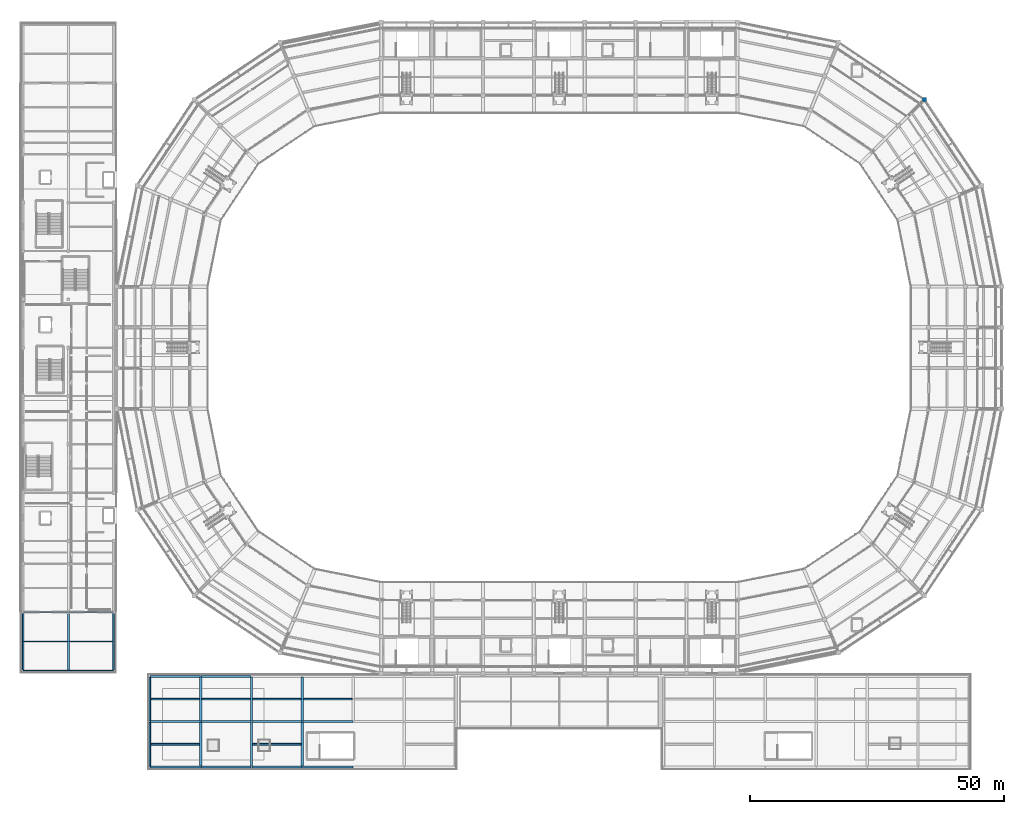
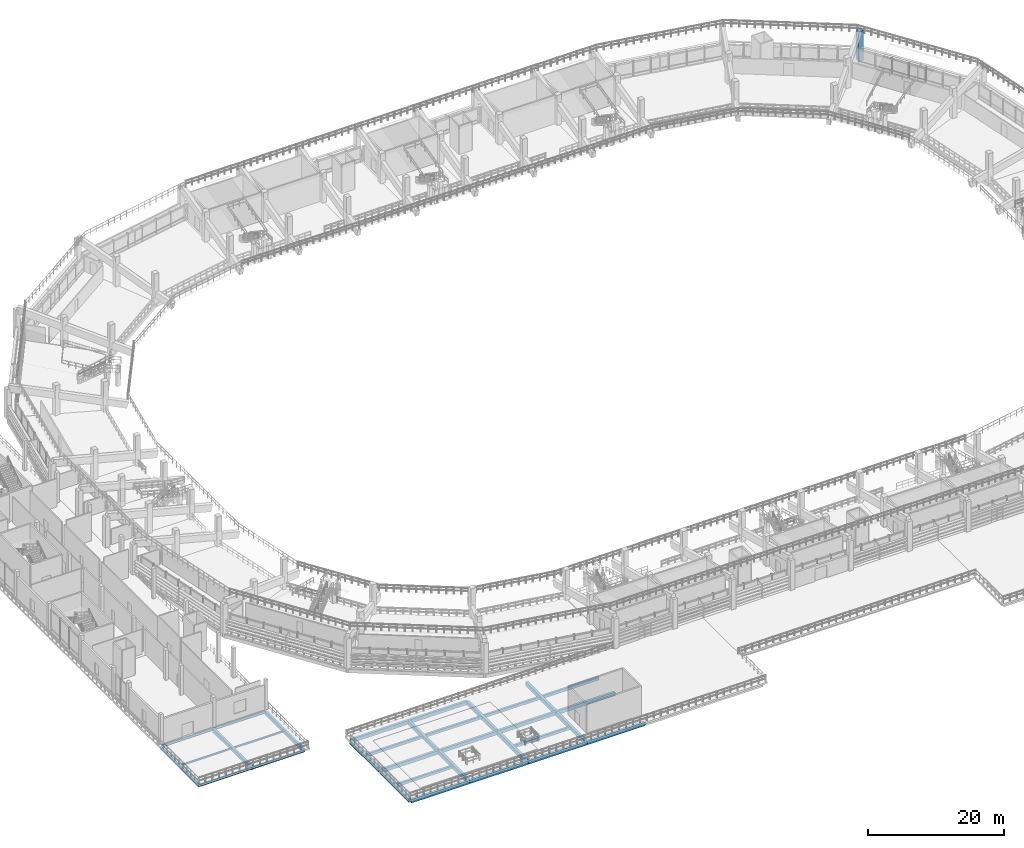
# One storey, part 4 of 96: 33 beams, 1 column.
"""IFC4 building model written with IfcOpenShell, lengths in metres."""

import ifcopenshell
import ifcopenshell.guid

model = None  # the IFC model being written
_history = None  # IfcOwnerHistory: only IFC2X3 demands one
_inside = {}  # id of a spatial element -> (the spatial element, [elements in it])
_under = {}  # id of a project, library or spatial element -> (it, [spatial elements below it])
_declared = {}  # id of a project -> (the project, [libraries it declares])
_typed = {}  # id of a type object -> (the type object, [elements of that type])
_made_of = {}  # id of a material, layer set ... -> (it, [elements and type objects made of it])


def new_model(schema):
    """Start an empty IFC model of exactly this schema.

    Asked for "IFC4X3", IfcOpenShell would pick the latest addendum, in which some entities
    have other attributes; the version numbers below select the first issue.
    IFC2X3 requires an IfcOwnerHistory on every rooted entity: one is made here for all.
    """
    global model, _history
    if schema == "IFC4X3":
        model = ifcopenshell.file(schema_version=(4, 3, 0, 0))
    else:
        model = ifcopenshell.file(schema=schema)
    _inside.clear()
    _under.clear()
    _declared.clear()
    _typed.clear()
    _made_of.clear()
    _history = None
    if model.schema == "IFC2X3":
        org = make("IfcOrganization", Name="unknown")
        user = make(
            "IfcPersonAndOrganization",
            ThePerson=make("IfcPerson", FamilyName="unknown"),
            TheOrganization=org,
        )
        app = make(
            "IfcApplication",
            ApplicationDeveloper=org,
            Version="unknown",
            ApplicationFullName="unknown",
            ApplicationIdentifier="unknown",
        )
        _history = make(
            "IfcOwnerHistory",
            OwningUser=user,
            OwningApplication=app,
            ChangeAction="ADDED",
            CreationDate=0,
        )
    return model


def make(cls, **values):
    """One entity of the class cls with the attributes given. An attribute that is None is left unset."""
    return model.create_entity(
        cls, **{name: value for name, value in values.items() if value is not None}
    )


def rooted(cls, **values):
    """An entity with a GlobalId (a new one), such as an element, a storey or a relation."""
    return make(cls, GlobalId=ifcopenshell.guid.new(), OwnerHistory=_history, **values)


def si_unit(unit_type, name, prefix=None):
    """IfcSIUnit, for example si_unit("LENGTHUNIT", "METRE", prefix="MILLI")."""
    return make("IfcSIUnit", UnitType=unit_type, Prefix=prefix, Name=name)


def assignment(units):
    """IfcUnitAssignment: the units of a project."""
    return None if units is None else make("IfcUnitAssignment", Units=units)


def point(xyz):
    """IfcCartesianPoint."""
    return None if xyz is None else make("IfcCartesianPoint", Coordinates=xyz)


def direction(xyz):
    """IfcDirection."""
    return None if xyz is None else make("IfcDirection", DirectionRatios=xyz)


def frame(location, z_axis=None, x_axis=None):
    """IfcAxis2Placement3D, a coordinate frame: its origin and axes. An axis left out is left unset."""
    return make(
        "IfcAxis2Placement3D",
        Location=point(location),
        Axis=direction(z_axis),
        RefDirection=direction(x_axis),
    )


def frame_2d(location, x_axis=None):
    """IfcAxis2Placement2D, a coordinate frame in the plane: its origin and x axis."""
    return make(
        "IfcAxis2Placement2D", Location=point(location), RefDirection=direction(x_axis)
    )


def origin():
    """The frame at (0, 0, 0) with its axes left unset."""
    return frame((0.0, 0.0, 0.0))


def origin_2d():
    """The frame at (0, 0) in the plane with its x axis left unset."""
    return frame_2d((0.0, 0.0))


def place(relative_to, where):
    """IfcLocalPlacement: puts the frame where relative to a parent placement (None: the world)."""
    return make(
        "IfcLocalPlacement", PlacementRelTo=relative_to, RelativePlacement=where
    )


def context(
    kind, dimensions, precision=None, world=None, true_north=None, identifier=None
):
    """IfcGeometricRepresentationContext, for example the 3D "Model" context."""
    return make(
        "IfcGeometricRepresentationContext",
        ContextIdentifier=identifier,
        ContextType=kind,
        CoordinateSpaceDimension=dimensions,
        Precision=precision,
        WorldCoordinateSystem=world,
        TrueNorth=true_north,
    )


def subcontext(parent, identifier, kind, view, scale=None):
    """IfcGeometricRepresentationSubContext, for example "Body" below "Model"."""
    return make(
        "IfcGeometricRepresentationSubContext",
        ContextIdentifier=identifier,
        ContextType=kind,
        ParentContext=parent,
        TargetScale=scale,
        TargetView=view,
    )


def project(units=None, contexts=None):
    """IfcProject with its units and contexts."""
    return rooted(
        "IfcProject",
        Name="project",
        RepresentationContexts=contexts,
        UnitsInContext=assignment(units),
    )


def spatial(cls, under=None, at=None, **own):
    """A site, building, storey or space (cls), placed at a placement, below another one or the project."""
    s = rooted(cls, ObjectPlacement=at, **own)
    if under is not None:
        _under.setdefault(under.id(), (under, []))[1].append(s)
    return s


def profile(cls, at=None, kind="AREA", **sizes):
    """A parametric profile (cls). Its sizes go by their IFC names, for example OverallWidth=200.0."""
    return make(cls, ProfileType=kind, Position=at, **sizes)


def rectangle(**sizes):
    """IfcRectangleProfileDef."""
    return profile("IfcRectangleProfileDef", **sizes)


def i_section(**sizes):
    """IfcIShapeProfileDef."""
    return profile("IfcIShapeProfileDef", **sizes)


def extrude(swept, where, along, depth):
    """IfcExtrudedAreaSolid: the profile swept, set in the frame where, extruded along a direction by depth."""
    return make(
        "IfcExtrudedAreaSolid",
        SweptArea=swept,
        Position=where,
        ExtrudedDirection=direction(along),
        Depth=depth,
    )


def shape(context_of_items, identifier, shape_type, items):
    """IfcShapeRepresentation: the items that make up one representation, for example the "Body"."""
    return make(
        "IfcShapeRepresentation",
        ContextOfItems=context_of_items,
        RepresentationIdentifier=identifier,
        RepresentationType=shape_type,
        Items=items,
    )


def material(Name=None, Category=None):
    """IfcMaterial."""
    return make("IfcMaterial", Name=Name, Category=Category)


def material_profile(
    of_material, cross_section, Name=None, Category=None, Priority=None
):
    """IfcMaterialProfile: a cross section and its material."""
    return make(
        "IfcMaterialProfile",
        Name=Name,
        Material=of_material,
        Profile=cross_section,
        Priority=Priority,
        Category=Category,
    )


def profile_set(profiles, Name=None, composite=None):
    """IfcMaterialProfileSet."""
    return make(
        "IfcMaterialProfileSet",
        Name=Name,
        MaterialProfiles=profiles,
        CompositeProfile=composite,
    )


def made_of(thing, what):
    """Note that an element or type object is made of a material, layer set ...; save() writes the relation."""
    if what is not None:
        _made_of.setdefault(what.id(), (what, []))[1].append(thing)
    return thing


def type_object(cls, material=None, **own):
    """A type object (cls), such as IfcWallType, which elements share."""
    return made_of(rooted(cls, **own), material)


def element(
    cls,
    number,
    at=None,
    inside=None,
    cuts=None,
    type_object=None,
    material=None,
    context=None,
    identifier="Body",
    shape_type=None,
    held_by="IfcProductDefinitionShape",
    body=None,
    shapes=None,
    **own,
):
    """One element of the class cls, such as IfcWall. Its Tag is "e" and its number.

    at: its placement. inside: the storey or other place that contains it. cuts: it is an
    opening in that element (IfcRelVoidsElement). A single representation is given by context,
    identifier, shape_type and body (its items); several are given by shapes. held_by: the class
    of the entity that holds the representations. save() writes the other relations.
    """
    e = rooted(cls, Tag="e%d" % number, ObjectPlacement=at, **own)
    if body is not None:
        shapes = [shape(context, identifier, shape_type, body)]
    if shapes is not None:
        e.Representation = make(held_by, Representations=shapes)
    if inside is not None:
        _inside.setdefault(inside.id(), (inside, []))[1].append(e)
    if cuts is not None:
        rooted(
            "IfcRelVoidsElement", RelatingBuildingElement=cuts, RelatedOpeningElement=e
        )
    if type_object is not None:
        _typed.setdefault(type_object.id(), (type_object, []))[1].append(e)
    return made_of(e, material)


def aggregate(whole, parts):
    """IfcRelAggregates: a whole, such as a stair, and the parts it consists of."""
    return rooted("IfcRelAggregates", RelatingObject=whole, RelatedObjects=parts)


def save(model, path):
    """Write the relations noted so far, then the file.

    IfcRelAggregates (storeys below a building ...), IfcRelContainedInSpatialStructure (elements
    in a storey), IfcRelDefinesByType, IfcRelAssociatesMaterial and IfcRelDeclares: one each for
    every whole, place, type object, material and project.
    """
    for whole, parts in _under.values():
        aggregate(whole, parts)
    for where, things in _inside.values():
        rooted(
            "IfcRelContainedInSpatialStructure",
            RelatedElements=things,
            RelatingStructure=where,
        )
    for kind, things in _typed.values():
        rooted("IfcRelDefinesByType", RelatedObjects=things, RelatingType=kind)
    for what, things in _made_of.values():
        rooted("IfcRelAssociatesMaterial", RelatedObjects=things, RelatingMaterial=what)
    for by, libraries in _declared.values():
        rooted("IfcRelDeclares", RelatingContext=by, RelatedDefinitions=libraries)
    model.write(path)


model = new_model("IFC4")

# Units and contexts
model_context = context("Model", 3, precision=1e-05, world=origin(), true_north=direction((0.0, 1.0)))
body_context = subcontext(model_context, "Body", "Model", "MODEL_VIEW")
ifc_project = project(units=[si_unit("LENGTHUNIT", "METRE"), si_unit("AREAUNIT", "SQUARE_METRE"), si_unit("VOLUMEUNIT", "CUBIC_METRE"), si_unit("PLANEANGLEUNIT", "RADIAN"), si_unit("MASSUNIT", "GRAM", prefix="KILO")], contexts=[model_context])

# Site, building, storey
site_placement = place(None, origin())
site = spatial("IfcSite", under=ifc_project, at=site_placement, CompositionType="ELEMENT")
building_placement = place(site_placement, origin())
building = spatial("IfcBuilding", under=site, at=building_placement, Name="Candeia Ridge Stadium", CompositionType="ELEMENT")
storey_placement = place(building_placement, frame((0.0, 0.0, 21.60009765625)))
storey = spatial("IfcBuildingStorey", under=building, at=storey_placement, Name="L04", CompositionType="ELEMENT", Elevation=21.60009765625)

# Column
ifc_material_1 = material(Name="Concrete C45/55", Category="concrete")
ifc_material_profile_1 = material_profile(ifc_material_1, rectangle(XDim=0.800048828125, YDim=0.800048828125, at=origin_2d()), Name="RC800x800", Category="concrete")
ifc_profile_set_1 = profile_set([ifc_material_profile_1], Name="Concrete C45/55")
column_type = type_object("IfcColumnType", Name="Bowl Column RC800x800", PredefinedType="COLUMN", material=ifc_profile_set_1)
column_placement = place(storey_placement, frame((177.76953125, 131.76953125, 0.0), z_axis=(0.0, 0.0, 1.0), x_axis=(1.0, 0.0, 0.0)))
element("IfcColumn", 1, at=column_placement, inside=storey, type_object=column_type, Name="Structural column BC-OU-34 L04", PredefinedType="COLUMN", context=body_context, shape_type="SweptSolid", body=[
    extrude(rectangle(XDim=0.800048828125, YDim=0.800048828125, at=origin_2d()), origin(), (0.0, 0.0, 1.0), 5.39990234375),
])

# Beams
ifc_material_2 = material(Name="Concrete C40/50", Category="concrete")
ifc_material_profile_2 = material_profile(ifc_material_2, rectangle(XDim=0.35009765625, YDim=0.5, at=origin_2d()), Name="RC350x500", Category="concrete")
ifc_profile_set_2 = profile_set([ifc_material_profile_2], Name="Concrete C40/50")
beam_type_1 = type_object("IfcBeamType", Name="Floor Joist RC350x500", PredefinedType="JOIST", material=ifc_profile_set_2)
for number, where, z_axis, x_axis, name in (
    (2, (25.674560546875, 5.050048828125, -0.530029296875), (1.0, 0.0, 0.0), (0.0, 1.0, 0.0), "Wing secondary joist BM-L04-2462"),
    (3, (25.674560546875, 13.949951171875, -0.530029296875), (1.0, 0.0, 0.0), (0.0, 1.0, 0.0), "Wing secondary joist BM-L04-2464"),
):
    element("IfcBeam", number, at=place(storey_placement, frame(where, z_axis=z_axis, x_axis=x_axis)), inside=storey, type_object=beam_type_1, Name=name, PredefinedType="JOIST", context=body_context, shape_type="SweptSolid", body=[
        extrude(rectangle(XDim=0.35009765625, YDim=0.5, at=origin_2d()), origin(), (0.0, 0.0, 1.0), 9.600830078125),
    ])
for number, where, z_axis, x_axis, name in (
    (4, (35.724609375, 13.949951171875, -0.530029296875), (1.0, 0.0, 0.0), (0.0, 1.0, 0.0), "Wing secondary joist BM-L04-2468"),
    (5, (45.724609375, 5.050048828125, -0.530029296875), (1.0, 0.0, 0.0), (0.0, 1.0, 0.0), "Wing secondary joist BM-L04-2471"),
    (6, (45.724609375, 13.949951171875, -0.530029296875), (1.0, 0.0, 0.0), (0.0, 1.0, 0.0), "Wing secondary joist BM-L04-2473"),
    (7, (55.724609375, 13.949951171875, -0.530029296875), (1.0, 0.0, 0.0), (0.0, 1.0, 0.0), "Wing secondary joist BM-L04-2477"),
):
    element("IfcBeam", number, at=place(storey_placement, frame(where, z_axis=z_axis, x_axis=x_axis)), inside=storey, type_object=beam_type_1, Name=name, PredefinedType="JOIST", context=body_context, shape_type="SweptSolid", body=[
        extrude(rectangle(XDim=0.35009765625, YDim=0.5, at=origin_2d()), origin(), (0.0, 0.0, 1.0), 9.55078125),
    ])
ifc_material_profile_3 = material_profile(ifc_material_2, rectangle(XDim=0.449951171875, YDim=0.699951171875, at=origin_2d()), Name="RC450x700", Category="concrete")
ifc_profile_set_3 = profile_set([ifc_material_profile_3], Name="Concrete C40/50")
beam_type_2 = type_object("IfcBeamType", Name="Frame Girder RC450x700", PredefinedType="BEAM", material=ifc_profile_set_3)
for number, where, z_axis, x_axis, name in (
    (8, (35.5, 0.760009765625, -0.630126953125), (0.0, 1.0, 0.0), (-1.0, 0.0, 0.0), "Structural girder BM-L04-2450"),
    (9, (35.5, 9.659912109375, -0.630126953125), (0.0, 1.0, 0.0), (-1.0, 0.0, 0.0), "Structural girder BM-L04-2451"),
    (10, (45.5, 0.760009765625, -0.630126953125), (0.0, 1.0, 0.0), (-1.0, 0.0, 0.0), "Structural girder BM-L04-2452"),
    (11, (45.5, 9.659912109375, -0.630126953125), (0.0, 1.0, 0.0), (-1.0, 0.0, 0.0), "Structural girder BM-L04-2453"),
    (12, (55.5, 0.760009765625, -0.630126953125), (0.0, 1.0, 0.0), (-1.0, 0.0, 0.0), "Structural girder BM-L04-2454"),
    (13, (55.5, 9.659912109375, -0.630126953125), (0.0, 1.0, 0.0), (-1.0, 0.0, 0.0), "Structural girder BM-L04-2455"),
):
    element("IfcBeam", number, at=place(storey_placement, frame(where, z_axis=z_axis, x_axis=x_axis)), inside=storey, type_object=beam_type_2, Name=name, PredefinedType="BEAM", context=body_context, shape_type="SweptSolid", body=[
        extrude(rectangle(XDim=0.449951171875, YDim=0.699951171875, at=origin_2d()), origin(), (0.0, 0.0, 1.0), 8.580078125),
    ])
ifc_material_3 = material(Name="Steel ASTM A572 Grade 50", Category="steel")
ifc_material_profile_4 = material_profile(ifc_material_3, i_section(OverallWidth=0.1669921875, OverallDepth=0.31689453125, WebThickness=0.007568359375, FlangeThickness=0.01318359375, FilletRadius=0.011962890625, at=origin_2d()), Name="W310x52", Category="steel")
ifc_profile_set_4 = profile_set([ifc_material_profile_4], Name="Steel ASTM A572 Grade 50")
beam_type_3 = type_object("IfcBeamType", Name="Pavilion Secondary Joist W310x52", PredefinedType="JOIST", material=ifc_profile_set_4)
for number, where, z_axis, x_axis, name in (
    (14, (0.7744140625, 25.25, -0.4287109375), (1.0, 0.0, 0.0), (0.0, 1.0, 0.0), "Wing secondary joist BM-L04-1312"),
    (15, (9.699462890625, 25.25, -0.4287109375), (1.0, 0.0, 0.0), (0.0, 1.0, 0.0), "Wing secondary joist BM-L04-1330"),
):
    element("IfcBeam", number, at=place(storey_placement, frame(where, z_axis=z_axis, x_axis=x_axis)), inside=storey, type_object=beam_type_3, Name=name, PredefinedType="JOIST", context=body_context, shape_type="SweptSolid", body=[
        extrude(i_section(OverallWidth=0.1669921875, OverallDepth=0.31689453125, WebThickness=0.007568359375, FlangeThickness=0.01318359375, FilletRadius=0.011962890625, at=origin_2d()), origin(), (0.0, 0.0, 1.0), 8.526123046875),
    ])
ifc_material_profile_5 = material_profile(ifc_material_3, i_section(OverallWidth=0.18994140625, OverallDepth=0.45703125, WebThickness=0.009033203125, FlangeThickness=0.014404296875, FilletRadius=0.012939453125, at=origin_2d()), Name="W460x74", Category="steel")
ifc_profile_set_5 = profile_set([ifc_material_profile_5], Name="Steel ASTM A572 Grade 50")
beam_type_4 = type_object("IfcBeamType", Name="Pavilion Steel Girder W460x74", PredefinedType="BEAM", material=ifc_profile_set_5)
for number, where, z_axis, x_axis, name in (
    (16, (0.64990234375, 19.5, -0.49853515625), (1.0, 0.0, 0.0), (0.0, 1.0, 0.0), "Structural girder BM-L04-1311"),
    (17, (0.64990234375, 31.0, -0.49853515625), (1.0, 0.0, 0.0), (0.0, 1.0, 0.0), "Structural girder BM-L04-1313"),
    (18, (9.550048828125, 19.5, -0.49853515625), (1.0, 0.0, 0.0), (0.0, 1.0, 0.0), "Structural girder BM-L04-1329"),
    (19, (9.550048828125, 31.0, -0.49853515625), (1.0, 0.0, 0.0), (0.0, 1.0, 0.0), "Structural girder BM-L04-1331"),
):
    element("IfcBeam", number, at=place(storey_placement, frame(where, z_axis=z_axis, x_axis=x_axis)), inside=storey, type_object=beam_type_4, Name=name, PredefinedType="BEAM", context=body_context, shape_type="SweptSolid", body=[
        extrude(i_section(OverallWidth=0.18994140625, OverallDepth=0.45703125, WebThickness=0.009033203125, FlangeThickness=0.014404296875, FilletRadius=0.012939453125, at=origin_2d()), origin(), (0.0, 0.0, 1.0), 8.800048828125),
    ])
ifc_material_profile_6 = material_profile(ifc_material_2, rectangle(XDim=0.35009765625, YDim=0.64990234375, at=origin_2d()), Name="RC350x650", Category="concrete")
ifc_profile_set_6 = profile_set([ifc_material_profile_6], Name="Concrete C40/50")
beam_type_5 = type_object("IfcBeamType", Name="Spandrel Beam RC350x650", PredefinedType="SPANDREL", material=ifc_profile_set_6)
for number, where, z_axis, x_axis, name in (
    (20, (0.60009765625, 19.659912109375, -0.59521484375), (0.0, 1.0, 0.0), (-1.0, 0.0, 0.0), "Structural girder BM-L04-1273"),
    (21, (18.39990234375, 19.659912109375, -0.59521484375), (0.0, 1.0, 0.0), (-1.0, 0.0, 0.0), "Structural girder BM-L04-1299"),
):
    element("IfcBeam", number, at=place(storey_placement, frame(where, z_axis=z_axis, x_axis=x_axis)), inside=storey, type_object=beam_type_5, Name=name, PredefinedType="SPANDREL", context=body_context, shape_type="SweptSolid", body=[
        extrude(rectangle(XDim=0.35009765625, YDim=0.64990234375, at=origin_2d()), origin(), (0.0, 0.0, 1.0), 11.18017578125),
    ])
for number, where, z_axis, x_axis, name in (
    (22, (25.5, 0.760009765625, -0.60498046875), (0.0, 1.0, 0.0), (-1.0, 0.0, 0.0), "Structural girder BM-L04-2448"),
    (23, (25.5, 9.659912109375, -0.60498046875), (0.0, 1.0, 0.0), (-1.0, 0.0, 0.0), "Structural girder BM-L04-2449"),
):
    element("IfcBeam", number, at=place(storey_placement, frame(where, z_axis=z_axis, x_axis=x_axis)), inside=storey, type_object=beam_type_5, Name=name, PredefinedType="SPANDREL", context=body_context, shape_type="SweptSolid", body=[
        extrude(rectangle(XDim=0.35009765625, YDim=0.64990234375, at=origin_2d()), origin(), (0.0, 0.0, 1.0), 8.580078125),
    ])
ifc_material_profile_7 = material_profile(ifc_material_2, rectangle(XDim=0.39990234375, YDim=0.64990234375, at=origin_2d()), Name="RC400x650", Category="concrete")
ifc_profile_set_7 = profile_set([ifc_material_profile_7], Name="Concrete C40/50")
beam_type_6 = type_object("IfcBeamType", Name="Wing Primary Girder RC400x650", PredefinedType="BEAM", material=ifc_profile_set_7)
beam_placement = place(storey_placement, frame((9.5, 19.550048828125, -0.59521484375), z_axis=(0.0, 1.0, 0.0), x_axis=(-1.0, 0.0, 0.0)))
element("IfcBeam", 24, at=beam_placement, inside=storey, type_object=beam_type_6, Name="Structural girder BM-L04-1287", PredefinedType="BEAM", context=body_context, shape_type="SweptSolid", body=[
    extrude(rectangle(XDim=0.39990234375, YDim=0.64990234375, at=origin_2d()), origin(), (0.0, 0.0, 1.0), 11.39990234375),
])
for number, where, z_axis, x_axis, name in (
    (25, (25.550048828125, 0.60009765625, -0.60498046875), (1.0, 0.0, 0.0), (0.0, 1.0, 0.0), "Structural girder BM-L04-2461"),
    (26, (25.550048828125, 9.5, -0.60498046875), (1.0, 0.0, 0.0), (0.0, 1.0, 0.0), "Structural girder BM-L04-2463"),
    (27, (25.550048828125, 18.39990234375, -0.60498046875), (1.0, 0.0, 0.0), (0.0, 1.0, 0.0), "Structural girder BM-L04-2465"),
    (28, (35.550048828125, 0.60009765625, -0.60498046875), (1.0, 0.0, 0.0), (0.0, 1.0, 0.0), "Structural girder BM-L04-2466"),
    (29, (35.550048828125, 9.5, -0.60498046875), (1.0, 0.0, 0.0), (0.0, 1.0, 0.0), "Structural girder BM-L04-2467"),
    (30, (35.550048828125, 18.39990234375, -0.60498046875), (1.0, 0.0, 0.0), (0.0, 1.0, 0.0), "Structural girder BM-L04-2469"),
    (31, (45.550048828125, 0.60009765625, -0.60498046875), (1.0, 0.0, 0.0), (0.0, 1.0, 0.0), "Structural girder BM-L04-2470"),
    (32, (45.550048828125, 9.5, -0.60498046875), (1.0, 0.0, 0.0), (0.0, 1.0, 0.0), "Structural girder BM-L04-2472"),
    (33, (55.550048828125, 0.60009765625, -0.60498046875), (1.0, 0.0, 0.0), (0.0, 1.0, 0.0), "Structural girder BM-L04-2475"),
    (34, (55.550048828125, 9.5, -0.60498046875), (1.0, 0.0, 0.0), (0.0, 1.0, 0.0), "Structural girder BM-L04-2476"),
):
    element("IfcBeam", number, at=place(storey_placement, frame(where, z_axis=z_axis, x_axis=x_axis)), inside=storey, type_object=beam_type_6, Name=name, PredefinedType="BEAM", context=body_context, shape_type="SweptSolid", body=[
        extrude(rectangle(XDim=0.39990234375, YDim=0.64990234375, at=origin_2d()), origin(), (0.0, 0.0, 1.0), 9.89990234375),
    ])

save(model, "model.ifc")
